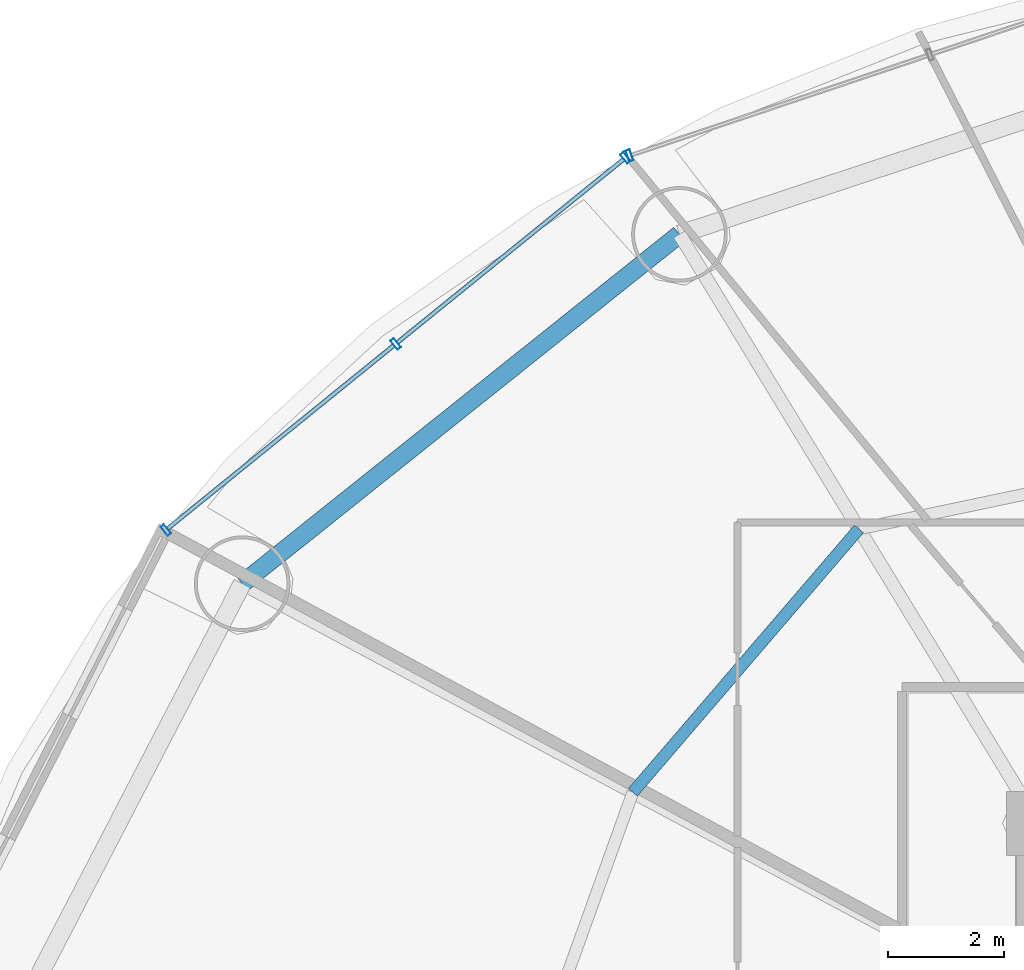
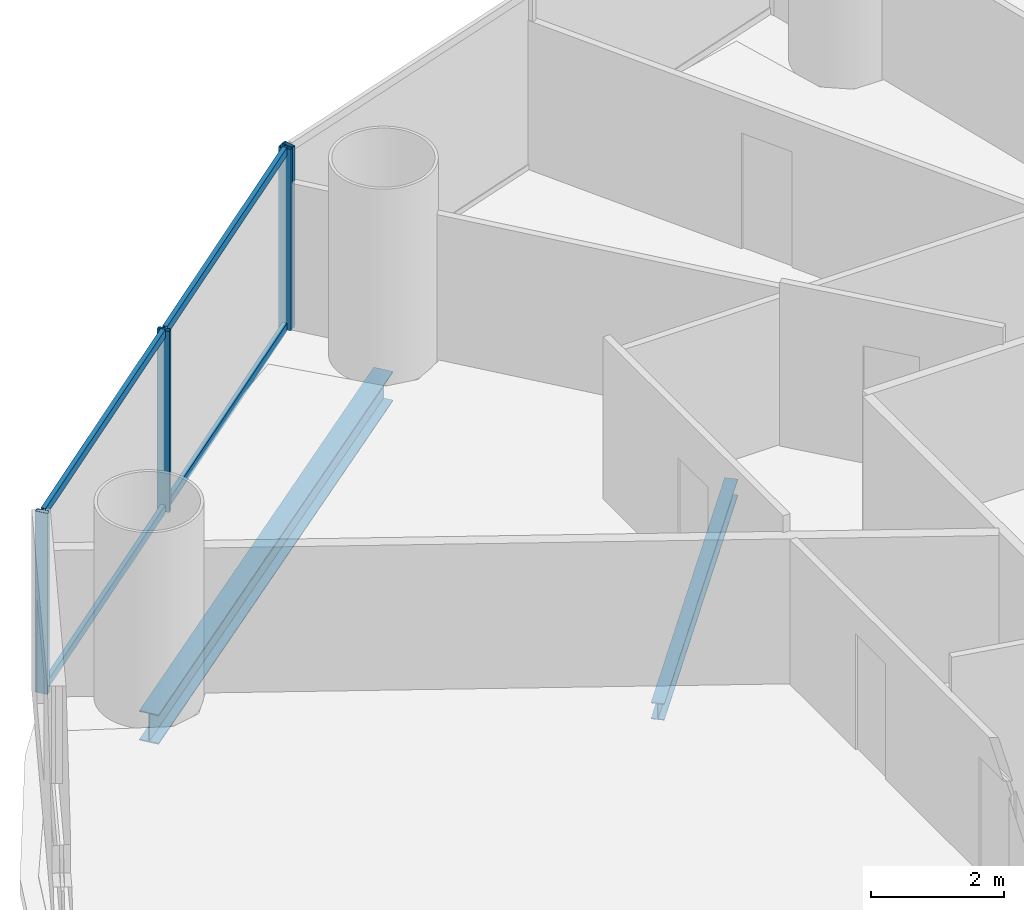
# One storey, part 15 of 29: 8 members, 2 beams, 2 elements without a shape of their own.
"""IFC4 building model written with IfcOpenShell, lengths in metres."""

import ifcopenshell
import ifcopenshell.guid

model = None  # the IFC model being written
_history = None  # IfcOwnerHistory: only IFC2X3 demands one
_inside = {}  # id of a spatial element -> (the spatial element, [elements in it])
_under = {}  # id of a project, library or spatial element -> (it, [spatial elements below it])
_declared = {}  # id of a project -> (the project, [libraries it declares])
_typed = {}  # id of a type object -> (the type object, [elements of that type])
_made_of = {}  # id of a material, layer set ... -> (it, [elements and type objects made of it])


def new_model(schema):
    """Start an empty IFC model of exactly this schema.

    Asked for "IFC4X3", IfcOpenShell would pick the latest addendum, in which some entities
    have other attributes; the version numbers below select the first issue.
    IFC2X3 requires an IfcOwnerHistory on every rooted entity: one is made here for all.
    """
    global model, _history
    if schema == "IFC4X3":
        model = ifcopenshell.file(schema_version=(4, 3, 0, 0))
    else:
        model = ifcopenshell.file(schema=schema)
    _inside.clear()
    _under.clear()
    _declared.clear()
    _typed.clear()
    _made_of.clear()
    _history = None
    if model.schema == "IFC2X3":
        org = make("IfcOrganization", Name="unknown")
        user = make(
            "IfcPersonAndOrganization",
            ThePerson=make("IfcPerson", FamilyName="unknown"),
            TheOrganization=org,
        )
        app = make(
            "IfcApplication",
            ApplicationDeveloper=org,
            Version="unknown",
            ApplicationFullName="unknown",
            ApplicationIdentifier="unknown",
        )
        _history = make(
            "IfcOwnerHistory",
            OwningUser=user,
            OwningApplication=app,
            ChangeAction="ADDED",
            CreationDate=0,
        )
    return model


def make(cls, **values):
    """One entity of the class cls with the attributes given. An attribute that is None is left unset."""
    return model.create_entity(
        cls, **{name: value for name, value in values.items() if value is not None}
    )


def rooted(cls, **values):
    """An entity with a GlobalId (a new one), such as an element, a storey or a relation."""
    return make(cls, GlobalId=ifcopenshell.guid.new(), OwnerHistory=_history, **values)


def si_unit(unit_type, name, prefix=None):
    """IfcSIUnit, for example si_unit("LENGTHUNIT", "METRE", prefix="MILLI")."""
    return make("IfcSIUnit", UnitType=unit_type, Prefix=prefix, Name=name)


def assignment(units):
    """IfcUnitAssignment: the units of a project."""
    return None if units is None else make("IfcUnitAssignment", Units=units)


def point(xyz):
    """IfcCartesianPoint."""
    return None if xyz is None else make("IfcCartesianPoint", Coordinates=xyz)


def direction(xyz):
    """IfcDirection."""
    return None if xyz is None else make("IfcDirection", DirectionRatios=xyz)


def frame(location, z_axis=None, x_axis=None):
    """IfcAxis2Placement3D, a coordinate frame: its origin and axes. An axis left out is left unset."""
    return make(
        "IfcAxis2Placement3D",
        Location=point(location),
        Axis=direction(z_axis),
        RefDirection=direction(x_axis),
    )


def frame_2d(location, x_axis=None):
    """IfcAxis2Placement2D, a coordinate frame in the plane: its origin and x axis."""
    return make(
        "IfcAxis2Placement2D", Location=point(location), RefDirection=direction(x_axis)
    )


def origin():
    """The frame at (0, 0, 0) with its axes left unset."""
    return frame((0.0, 0.0, 0.0))


def origin_2d():
    """The frame at (0, 0) in the plane with its x axis left unset."""
    return frame_2d((0.0, 0.0))


def place(relative_to, where):
    """IfcLocalPlacement: puts the frame where relative to a parent placement (None: the world)."""
    return make(
        "IfcLocalPlacement", PlacementRelTo=relative_to, RelativePlacement=where
    )


def context(
    kind, dimensions, precision=None, world=None, true_north=None, identifier=None
):
    """IfcGeometricRepresentationContext, for example the 3D "Model" context."""
    return make(
        "IfcGeometricRepresentationContext",
        ContextIdentifier=identifier,
        ContextType=kind,
        CoordinateSpaceDimension=dimensions,
        Precision=precision,
        WorldCoordinateSystem=world,
        TrueNorth=true_north,
    )


def subcontext(parent, identifier, kind, view, scale=None):
    """IfcGeometricRepresentationSubContext, for example "Body" below "Model"."""
    return make(
        "IfcGeometricRepresentationSubContext",
        ContextIdentifier=identifier,
        ContextType=kind,
        ParentContext=parent,
        TargetScale=scale,
        TargetView=view,
    )


def project(units=None, contexts=None):
    """IfcProject with its units and contexts."""
    return rooted(
        "IfcProject",
        Name="project",
        RepresentationContexts=contexts,
        UnitsInContext=assignment(units),
    )


def spatial(cls, under=None, at=None, **own):
    """A site, building, storey or space (cls), placed at a placement, below another one or the project."""
    s = rooted(cls, ObjectPlacement=at, **own)
    if under is not None:
        _under.setdefault(under.id(), (under, []))[1].append(s)
    return s


def profile(cls, at=None, kind="AREA", **sizes):
    """A parametric profile (cls). Its sizes go by their IFC names, for example OverallWidth=200.0."""
    return make(cls, ProfileType=kind, Position=at, **sizes)


def hollow_rectangle(**sizes):
    """IfcRectangleHollowProfileDef."""
    return profile("IfcRectangleHollowProfileDef", **sizes)


def i_section(**sizes):
    """IfcIShapeProfileDef."""
    return profile("IfcIShapeProfileDef", **sizes)


def extrude(swept, where, along, depth):
    """IfcExtrudedAreaSolid: the profile swept, set in the frame where, extruded along a direction by depth."""
    return make(
        "IfcExtrudedAreaSolid",
        SweptArea=swept,
        Position=where,
        ExtrudedDirection=direction(along),
        Depth=depth,
    )


def shape(context_of_items, identifier, shape_type, items):
    """IfcShapeRepresentation: the items that make up one representation, for example the "Body"."""
    return make(
        "IfcShapeRepresentation",
        ContextOfItems=context_of_items,
        RepresentationIdentifier=identifier,
        RepresentationType=shape_type,
        Items=items,
    )


def source(mapping_origin, context_of_items, identifier, shape_type, items):
    """IfcRepresentationMap: a shape defined once, which mapped items show again and again."""
    return make(
        "IfcRepresentationMap",
        MappingOrigin=mapping_origin,
        MappedRepresentation=shape(context_of_items, identifier, shape_type, items),
    )


def transform(
    local_origin,
    x_axis=None,
    y_axis=None,
    z_axis=None,
    scale=None,
    scale2=None,
    scale3=None,
    uniform=True,
):
    """IfcCartesianTransformationOperator3D, or its non-uniform kind. x_axis, y_axis, z_axis: its Axis1, 2, 3."""
    if uniform:
        return make(
            "IfcCartesianTransformationOperator3D",
            Axis1=direction(x_axis),
            Axis2=direction(y_axis),
            LocalOrigin=point(local_origin),
            Scale=scale,
            Axis3=direction(z_axis),
        )
    return make(
        "IfcCartesianTransformationOperator3DnonUniform",
        Axis1=direction(x_axis),
        Axis2=direction(y_axis),
        LocalOrigin=point(local_origin),
        Scale=scale,
        Axis3=direction(z_axis),
        Scale2=scale2,
        Scale3=scale3,
    )


def mapped(mapping_source, mapping_target):
    """IfcMappedItem: shows the shape of a source again, moved by a transform."""
    return make(
        "IfcMappedItem", MappingSource=mapping_source, MappingTarget=mapping_target
    )


def material(Name=None, Category=None):
    """IfcMaterial."""
    return make("IfcMaterial", Name=Name, Category=Category)


def material_profile(
    of_material, cross_section, Name=None, Category=None, Priority=None
):
    """IfcMaterialProfile: a cross section and its material."""
    return make(
        "IfcMaterialProfile",
        Name=Name,
        Material=of_material,
        Profile=cross_section,
        Priority=Priority,
        Category=Category,
    )


def profile_set(profiles, Name=None, composite=None):
    """IfcMaterialProfileSet."""
    return make(
        "IfcMaterialProfileSet",
        Name=Name,
        MaterialProfiles=profiles,
        CompositeProfile=composite,
    )


def made_of(thing, what):
    """Note that an element or type object is made of a material, layer set ...; save() writes the relation."""
    if what is not None:
        _made_of.setdefault(what.id(), (what, []))[1].append(thing)
    return thing


def type_object(cls, material=None, **own):
    """A type object (cls), such as IfcWallType, which elements share."""
    return made_of(rooted(cls, **own), material)


def element(
    cls,
    number,
    at=None,
    inside=None,
    cuts=None,
    type_object=None,
    material=None,
    context=None,
    identifier="Body",
    shape_type=None,
    held_by="IfcProductDefinitionShape",
    body=None,
    shapes=None,
    **own,
):
    """One element of the class cls, such as IfcWall. Its Tag is "e" and its number.

    at: its placement. inside: the storey or other place that contains it. cuts: it is an
    opening in that element (IfcRelVoidsElement). A single representation is given by context,
    identifier, shape_type and body (its items); several are given by shapes. held_by: the class
    of the entity that holds the representations. save() writes the other relations.
    """
    e = rooted(cls, Tag="e%d" % number, ObjectPlacement=at, **own)
    if body is not None:
        shapes = [shape(context, identifier, shape_type, body)]
    if shapes is not None:
        e.Representation = make(held_by, Representations=shapes)
    if inside is not None:
        _inside.setdefault(inside.id(), (inside, []))[1].append(e)
    if cuts is not None:
        rooted(
            "IfcRelVoidsElement", RelatingBuildingElement=cuts, RelatedOpeningElement=e
        )
    if type_object is not None:
        _typed.setdefault(type_object.id(), (type_object, []))[1].append(e)
    return made_of(e, material)


def aggregate(whole, parts):
    """IfcRelAggregates: a whole, such as a stair, and the parts it consists of."""
    return rooted("IfcRelAggregates", RelatingObject=whole, RelatedObjects=parts)


def save(model, path):
    """Write the relations noted so far, then the file.

    IfcRelAggregates (storeys below a building ...), IfcRelContainedInSpatialStructure (elements
    in a storey), IfcRelDefinesByType, IfcRelAssociatesMaterial and IfcRelDeclares: one each for
    every whole, place, type object, material and project.
    """
    for whole, parts in _under.values():
        aggregate(whole, parts)
    for where, things in _inside.values():
        rooted(
            "IfcRelContainedInSpatialStructure",
            RelatedElements=things,
            RelatingStructure=where,
        )
    for kind, things in _typed.values():
        rooted("IfcRelDefinesByType", RelatedObjects=things, RelatingType=kind)
    for what, things in _made_of.values():
        rooted("IfcRelAssociatesMaterial", RelatedObjects=things, RelatingMaterial=what)
    for by, libraries in _declared.values():
        rooted("IfcRelDeclares", RelatingContext=by, RelatedDefinitions=libraries)
    model.write(path)


model = new_model("IFC4")

# Units and contexts
model_context = context("Model", 3, precision=1e-05, world=origin(), true_north=direction((-0.2419218956, 0.970295726276)))
body_context = subcontext(model_context, "Body", "Model", "MODEL_VIEW")
ifc_project = project(units=[si_unit("LENGTHUNIT", "METRE"), si_unit("AREAUNIT", "SQUARE_METRE"), si_unit("VOLUMEUNIT", "CUBIC_METRE"), si_unit("PLANEANGLEUNIT", "RADIAN"), si_unit("MASSUNIT", "GRAM", prefix="KILO")], contexts=[model_context])

# Site, building, storey
site_placement = place(None, origin())
site = spatial("IfcSite", under=ifc_project, at=site_placement, CompositionType="ELEMENT")
building_placement = place(site_placement, origin())
building = spatial("IfcBuilding", under=site, at=building_placement, Name="Cobrevalo Terracotta Tower", CompositionType="ELEMENT")
storey_placement = place(building_placement, frame((0.0, 0.0, 49.199951171875)))
storey = spatial("IfcBuildingStorey", under=building, at=storey_placement, Name="L12", CompositionType="ELEMENT", Elevation=49.199951171875)

# Beams
ifc_material_1 = material(Name="Steel S355", Category="steel")
ifc_material_profile_1 = material_profile(ifc_material_1, i_section(OverallWidth=0.2041015625, OverallDepth=0.305908203125, WebThickness=0.008544921875, FlangeThickness=0.0146484375, at=origin_2d()), Name="W 310x67")
ifc_profile_set_1 = profile_set([ifc_material_profile_1], Name="Steel S355")
beam_type_1 = type_object("IfcBeamType", Name="Structural Joist W 310x67 (Steel S355)", PredefinedType="JOIST", material=ifc_profile_set_1)
beam_1_placement = place(storey_placement, frame((25.902587890625, 39.8837890625, -0.432861328125), z_axis=(-0.651328404454, -0.758795960421, 0.0), x_axis=(0.758795960421, -0.651328404454, 0.0)))
element("IfcBeam", 1, at=beam_1_placement, inside=storey, type_object=beam_type_1, Name="L12 circumferential secondary floor joist 06", PredefinedType="JOIST", context=body_context, shape_type="SweptSolid", body=[
    extrude(i_section(OverallWidth=0.2041015625, OverallDepth=0.305908203125, WebThickness=0.008544921875, FlangeThickness=0.0146484375, at=origin_2d()), origin(), (0.0, 0.0, 1.0), 5.98828125),
])
ifc_material_profile_2 = material_profile(ifc_material_1, i_section(OverallWidth=0.31201171875, OverallDepth=0.54296875, WebThickness=0.0126953125, FlangeThickness=0.020263671875, at=origin_2d()), Name="W 530x150")
ifc_profile_set_2 = profile_set([ifc_material_profile_2], Name="Steel S355")
beam_type_2 = type_object("IfcBeamType", Name="Structural Spandrel W 530x150 (Steel S355)", PredefinedType="SPANDREL", material=ifc_profile_set_2)
beam_2_placement = place(storey_placement, frame((22.80517578125, 44.967529296875, -0.551513671875), z_axis=(-0.781292806807, -0.62416468182, 0.0), x_axis=(0.62416468182, -0.781292806807, 0.0)))
element("IfcBeam", 2, at=beam_2_placement, inside=storey, type_object=beam_type_2, Name="L12 perimeter ring spandrel 06", PredefinedType="SPANDREL", context=body_context, shape_type="SweptSolid", body=[
    extrude(i_section(OverallWidth=0.31201171875, OverallDepth=0.54296875, WebThickness=0.0126953125, FlangeThickness=0.020263671875, at=origin_2d()), origin(), (0.0, 0.0, 1.0), 9.658203125),
])

# Curtain wall, member
ifc_material_2 = material(Name="Anodized aluminium", Category="aluminium")
curtain_wall_type = type_object("IfcCurtainWallType", Name="Lower-tower unitised acoustic low-E curtain wall CW-U1", PredefinedType="NOTDEFINED", material=ifc_material_2)
curtain_wall_1_placement = place(storey_placement, origin())
curtain_wall_1 = element("IfcCurtainWall", 3, at=curtain_wall_1_placement, inside=storey, type_object=curtain_wall_type, Name="L12 curtain wall CW-L12-S05", PredefinedType="NOTDEFINED")
ifc_material_profile_3 = material_profile(ifc_material_2, hollow_rectangle(XDim=0.074951171875, YDim=0.199951171875, WallThickness=0.0048828125, at=origin_2d()), Name="CWM 75x200")
ifc_profile_set_3 = profile_set([ifc_material_profile_3], Name="Anodized aluminium")
member_type_1 = type_object("IfcMemberType", Name="Lower/mid tower unitised mullion 75x200", PredefinedType="MULLION", material=ifc_profile_set_3)
shared_shape_1 = source(origin(), body_context, "Body", "SweptSolid", [
    extrude(hollow_rectangle(XDim=0.074951171875, YDim=0.199951171875, WallThickness=0.0048828125, at=origin_2d()), origin(), (0.0, 0.0, 1.0), 3.320068359375),
])
member_1_placement = place(storey_placement, frame((21.943115234375, 46.327392578125, 0.0), z_axis=(0.0, 0.0, 1.0), x_axis=(-0.948046393597, -0.318132103987, 0.0)))
member_1 = element("IfcMember", 4, at=member_1_placement, type_object=member_type_1, Name="CW-L12-S05 vertical mullion 03", PredefinedType="MULLION", context=body_context, shape_type="MappedRepresentation", body=[
    mapped(shared_shape_1, transform((0.0, 0.0, 0.0), scale=1.0)),
])
aggregate(curtain_wall_1, [member_1])

# Curtain wall, members
curtain_wall_2_placement = place(storey_placement, origin())
curtain_wall_2 = element("IfcCurtainWall", 5, at=curtain_wall_2_placement, inside=storey, type_object=curtain_wall_type, Name="L12 curtain wall CW-L12-S06", PredefinedType="NOTDEFINED")
member_2_placement = place(storey_placement, frame((21.8740234375, 46.289306640625, 0.0), z_axis=(0.0, 0.0, 1.0), x_axis=(-0.777003153187, -0.629496703675, 0.0)))
member_2 = element("IfcMember", 6, at=member_2_placement, type_object=member_type_1, Name="CW-L12-S06 vertical mullion 01", PredefinedType="MULLION", context=body_context, shape_type="MappedRepresentation", body=[
    mapped(shared_shape_1, transform((0.0, 0.0, 0.0), scale=1.0)),
])
member_3_placement = place(storey_placement, frame((17.90869140625, 43.076904296875, 0.0), z_axis=(0.0, 0.0, 1.0), x_axis=(-0.777003153187, -0.629496703675, 0.0)))
member_3 = element("IfcMember", 7, at=member_3_placement, type_object=member_type_1, Name="CW-L12-S06 vertical mullion 02", PredefinedType="MULLION", context=body_context, shape_type="MappedRepresentation", body=[
    mapped(shared_shape_1, transform((0.0, 0.0, 0.0), scale=1.0)),
])
member_4_placement = place(storey_placement, frame((13.943359375, 39.864501953125, 0.0), z_axis=(0.0, 0.0, 1.0), x_axis=(-0.777003153187, -0.629496703675, 0.0)))
member_4 = element("IfcMember", 8, at=member_4_placement, type_object=member_type_1, Name="CW-L12-S06 vertical mullion 03", PredefinedType="MULLION", context=body_context, shape_type="MappedRepresentation", body=[
    mapped(shared_shape_1, transform((0.0, 0.0, 0.0), scale=1.0)),
])
ifc_material_profile_4 = material_profile(ifc_material_2, hollow_rectangle(XDim=0.074951171875, YDim=0.14990234375, WallThickness=0.00439453125, at=origin_2d()), Name="CWT 75x150")
ifc_profile_set_4 = profile_set([ifc_material_profile_4], Name="Anodized aluminium")
member_type_2 = type_object("IfcMemberType", Name="Tower unitised aluminium transom 75x150", PredefinedType="USERDEFINED", material=ifc_profile_set_4)
shared_shape_2 = source(origin(), body_context, "Body", "SweptSolid", [
    extrude(hollow_rectangle(XDim=0.074951171875, YDim=0.14990234375, WallThickness=0.00439453125, at=origin_2d()), origin(), (0.0, 0.0, 1.0), 5.0234375),
])
member_5_placement = place(storey_placement, frame((21.843017578125, 46.26416015625, 0.050048828125), z_axis=(-0.777022991593, -0.629472215857, 0.0), x_axis=(0.629472215857, -0.777022991593, 0.0)))
member_5 = element("IfcMember", 9, at=member_5_placement, type_object=member_type_2, Name="CW-L12-S06 transom B01-T1", ObjectType="TRANSOM", PredefinedType="USERDEFINED", context=body_context, shape_type="MappedRepresentation", body=[
    mapped(shared_shape_2, transform((0.0, 0.0, 0.0), scale=1.0)),
])
member_6_placement = place(storey_placement, frame((21.843017578125, 46.26416015625, 3.27001953125), z_axis=(-0.777022991593, -0.629472215857, 0.0), x_axis=(0.629472215857, -0.777022991593, 0.0)))
member_6 = element("IfcMember", 10, at=member_6_placement, type_object=member_type_2, Name="CW-L12-S06 transom B01-T2", ObjectType="TRANSOM", PredefinedType="USERDEFINED", context=body_context, shape_type="MappedRepresentation", body=[
    mapped(shared_shape_2, transform((0.0, 0.0, 0.0), scale=1.0)),
])
member_7_placement = place(storey_placement, frame((17.877685546875, 43.0517578125, 0.050048828125), z_axis=(-0.777022991593, -0.629472215857, 0.0), x_axis=(0.629472215857, -0.777022991593, 0.0)))
member_7 = element("IfcMember", 11, at=member_7_placement, type_object=member_type_2, Name="CW-L12-S06 transom B02-T1", ObjectType="TRANSOM", PredefinedType="USERDEFINED", context=body_context, shape_type="MappedRepresentation", body=[
    mapped(shared_shape_2, transform((0.0, 0.0, 0.0), scale=1.0)),
])
member_8_placement = place(storey_placement, frame((17.877685546875, 43.0517578125, 3.27001953125), z_axis=(-0.777022991593, -0.629472215857, 0.0), x_axis=(0.629472215857, -0.777022991593, 0.0)))
member_8 = element("IfcMember", 12, at=member_8_placement, type_object=member_type_2, Name="CW-L12-S06 transom B02-T2", ObjectType="TRANSOM", PredefinedType="USERDEFINED", context=body_context, shape_type="MappedRepresentation", body=[
    mapped(shared_shape_2, transform((0.0, 0.0, 0.0), scale=1.0)),
])
aggregate(curtain_wall_2, [member_2, member_3, member_4, member_5, member_6, member_7, member_8])

save(model, "model.ifc")
